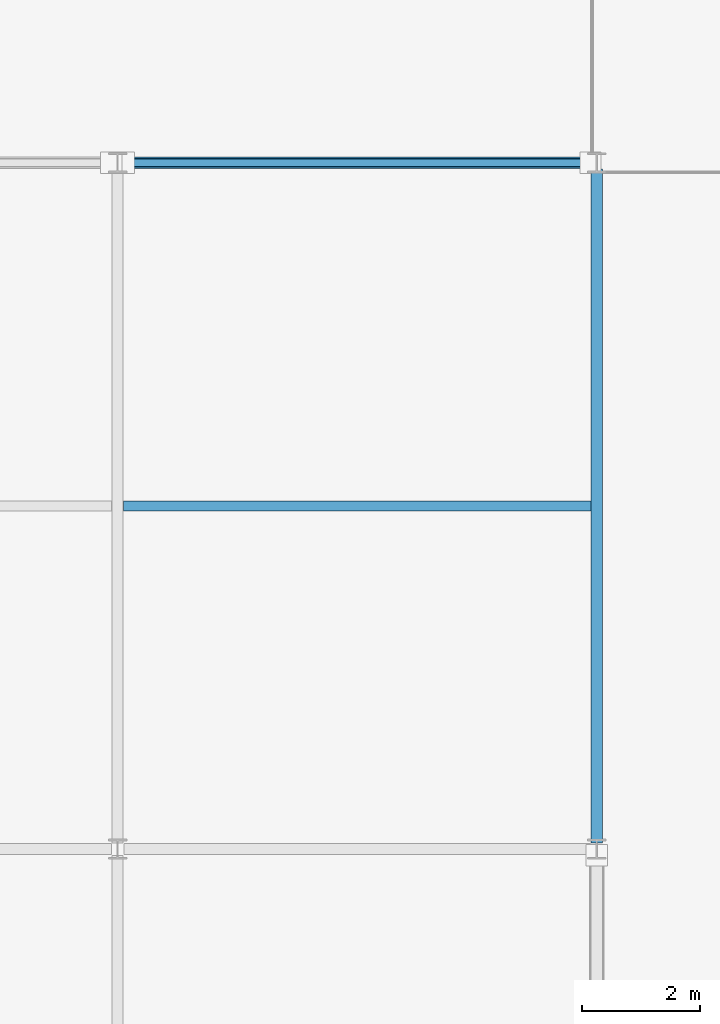
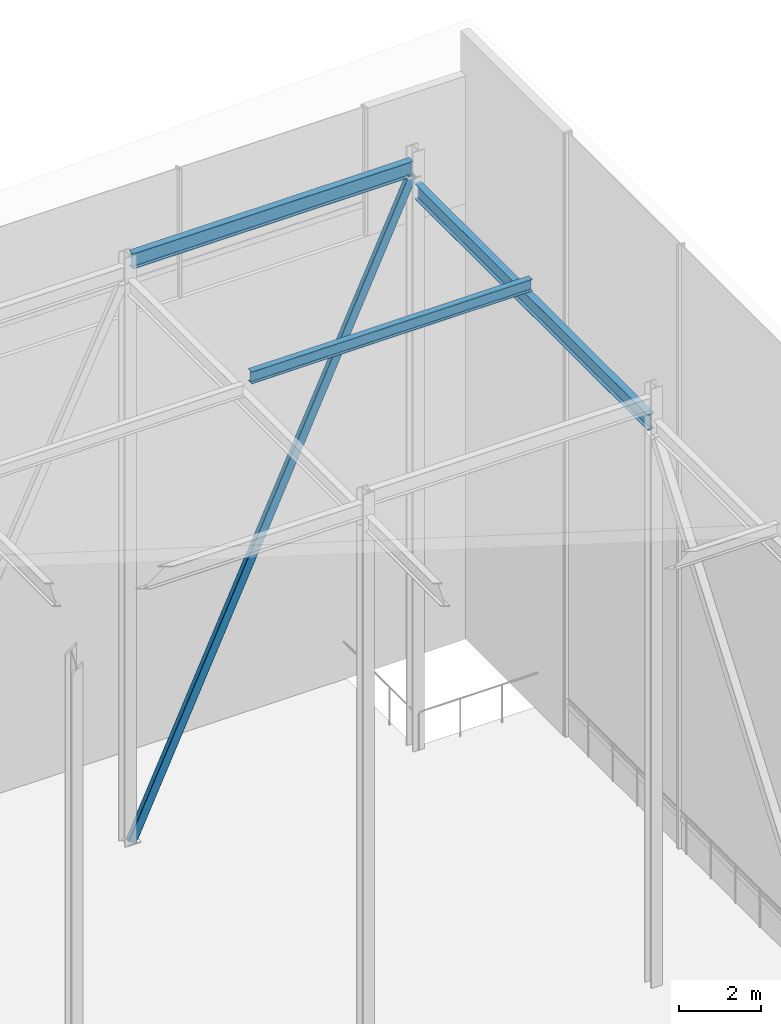
# One storey, part 33 of 39: 3 beams, 1 member.
"""IFC4 building model written with IfcOpenShell, lengths in metres."""

from ifc_helpers import new_model, si_unit, direction, frame, origin, origin_2d, place, context, subcontext, project, spatial, hollow_rectangle, i_section, extrude, material, material_profile, profile_set, type_object, element, save


model = new_model("IFC4")

# Units and contexts
model_context = context("Model", 3, precision=1e-05, world=origin(), true_north=direction((0.0, 1.0)))
body_context = subcontext(model_context, "Body", "Model", "MODEL_VIEW")
ifc_project = project(units=[si_unit("LENGTHUNIT", "METRE"), si_unit("AREAUNIT", "SQUARE_METRE"), si_unit("VOLUMEUNIT", "CUBIC_METRE"), si_unit("PLANEANGLEUNIT", "RADIAN"), si_unit("MASSUNIT", "GRAM", prefix="KILO")], contexts=[model_context])

# Site, building, storey
site_placement = place(None, origin())
site = spatial("IfcSite", under=ifc_project, at=site_placement, CompositionType="ELEMENT")
building_placement = place(site_placement, origin())
building = spatial("IfcBuilding", under=site, at=building_placement, Name="Korimba Cascade Residences", CompositionType="ELEMENT")
storey_placement = place(building_placement, frame((0.0, 0.0, 264.199951171875)))
storey = spatial("IfcBuildingStorey", under=building, at=storey_placement, Name="RF", CompositionType="ELEMENT", Elevation=264.199951171875)

# Beams
ifc_material = material(Name="Steel S355", Category="steel")
ifc_material_profile_1 = material_profile(ifc_material, i_section(OverallWidth=0.172119140625, OverallDepth=0.35791015625, WebThickness=0.008056640625, FlangeThickness=0.012939453125, FilletRadius=0.01025390625, at=origin_2d()), Name="Steel S355")
ifc_profile_set_1 = profile_set([ifc_material_profile_1], Name="Steel S355")
beam_type_1 = type_object("IfcBeamType", Name="BM-STL-UB356", PredefinedType="JOIST", material=ifc_profile_set_1)
beam_1_placement = place(storey_placement, frame((120.39990234375, 85.39990234375, 17.33642578125), z_axis=(1.0, 0.0, 0.0), x_axis=(0.0, 1.0, 0.0)))
element("IfcBeam", 1, at=beam_1_placement, inside=storey, type_object=beam_type_1, Name="RF Crown Cap Joist E3.3", PredefinedType="JOIST", context=body_context, shape_type="SweptSolid", body=[
    extrude(i_section(OverallWidth=0.172119140625, OverallDepth=0.35791015625, WebThickness=0.008056640625, FlangeThickness=0.012939453125, FilletRadius=0.01025390625, at=origin_2d()), origin(), (0.0, 0.0, 1.0), 7.900146484375),
])
ifc_material_profile_2 = material_profile(ifc_material, i_section(OverallWidth=0.19140625, OverallDepth=0.4599609375, WebThickness=0.010009765625, FlangeThickness=0.01611328125, FilletRadius=0.01025390625, at=origin_2d()), Name="Steel S355")
ifc_profile_set_2 = profile_set([ifc_material_profile_2], Name="Steel S355")
beam_type_2 = type_object("IfcBeamType", Name="BM-STL-UB457", PredefinedType="JOIST", material=ifc_profile_set_2)
beam_2_placement = place(storey_placement, frame((120.405029296875, 91.199951171875, 17.285400390625), z_axis=(1.0, 0.0, 0.0), x_axis=(0.0, 1.0, 0.0)))
element("IfcBeam", 2, at=beam_2_placement, inside=storey, type_object=beam_type_2, Name="RF Crown Cap Ring Beam E4.3", PredefinedType="JOIST", context=body_context, shape_type="SweptSolid", body=[
    extrude(i_section(OverallWidth=0.19140625, OverallDepth=0.4599609375, WebThickness=0.010009765625, FlangeThickness=0.01611328125, FilletRadius=0.01025390625, at=origin_2d()), origin(), (0.0, 0.0, 1.0), 7.889892578125),
])
beam_3_placement = place(storey_placement, frame((128.39990234375, 79.705078125, 16.638916015625), z_axis=(0.0, 1.0, 0.0), x_axis=(-1.0, 0.0, 0.0)))
element("IfcBeam", 3, at=beam_3_placement, inside=storey, type_object=beam_type_2, Name="RF Crown Cap Tie Beam E4.3", PredefinedType="JOIST", context=body_context, shape_type="SweptSolid", body=[
    extrude(i_section(OverallWidth=0.19140625, OverallDepth=0.4599609375, WebThickness=0.010009765625, FlangeThickness=0.01611328125, FilletRadius=0.01025390625, at=origin_2d()), origin(), (0.0, 0.0, 1.0), 11.389892578125),
])

# Member
ifc_material_profile_3 = material_profile(ifc_material, hollow_rectangle(XDim=0.14990234375, YDim=0.25, WallThickness=0.009033203125, InnerFilletRadius=0.009033203125, OuterFilletRadius=0.01806640625, at=origin_2d()), Name="Steel S355")
ifc_profile_set_3 = profile_set([ifc_material_profile_3], Name="Steel S355")
member_type = type_object("IfcMemberType", Name="MEM-CRN-RHS250", PredefinedType="BRACE", material=ifc_profile_set_3)
member_placement = place(storey_placement, frame((120.405029296875, 91.199951171875, 0.0), z_axis=(0.419735911952, 0.0, 0.907646277036), x_axis=(0.0, 1.0, 0.0)))
element("IfcMember", 4, at=member_placement, inside=storey, type_object=member_type, Name="RF CROWN FRAME Diagonal Brace E4.3", PredefinedType="BRACE", context=body_context, shape_type="SweptSolid", body=[
    extrude(hollow_rectangle(XDim=0.14990234375, YDim=0.25, WallThickness=0.009033203125, InnerFilletRadius=0.009033203125, OuterFilletRadius=0.01806640625, at=origin_2d()), origin(), (0.0, 0.0, 1.0), 18.79736328125),
])

save(model, "model.ifc")
